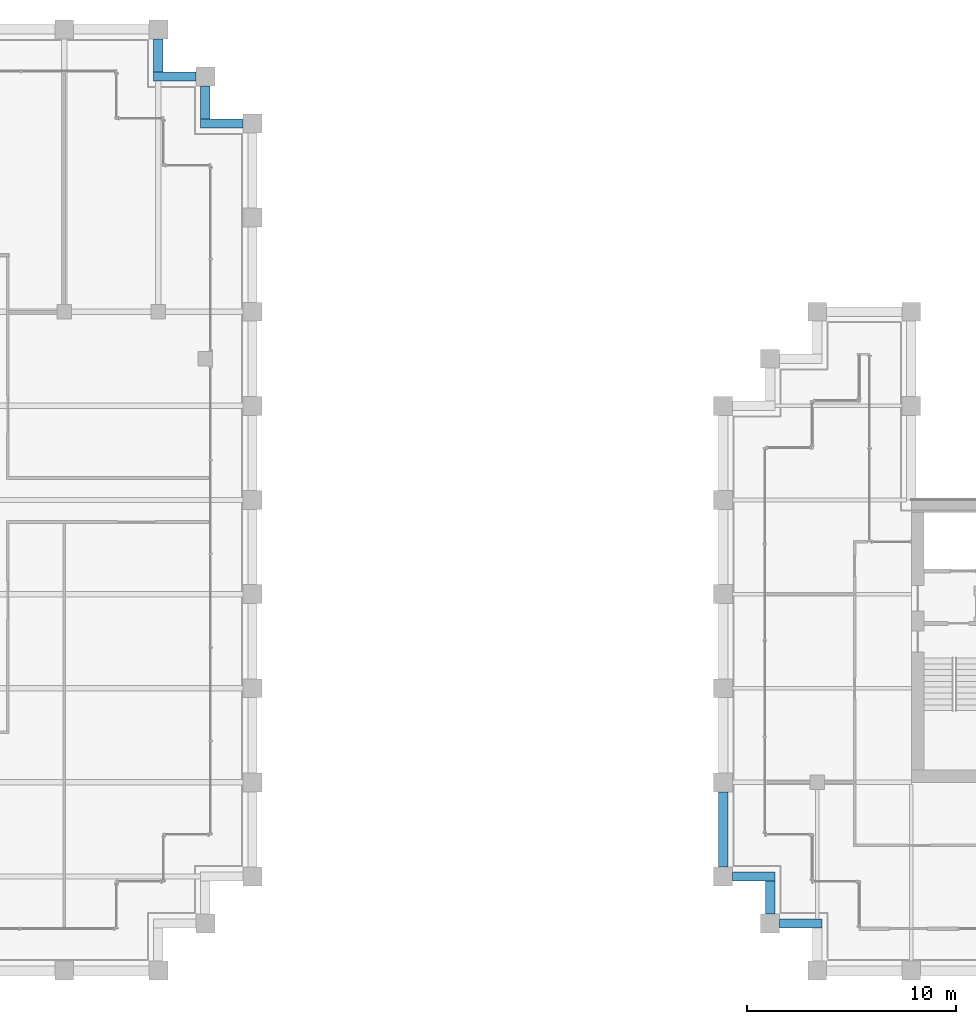
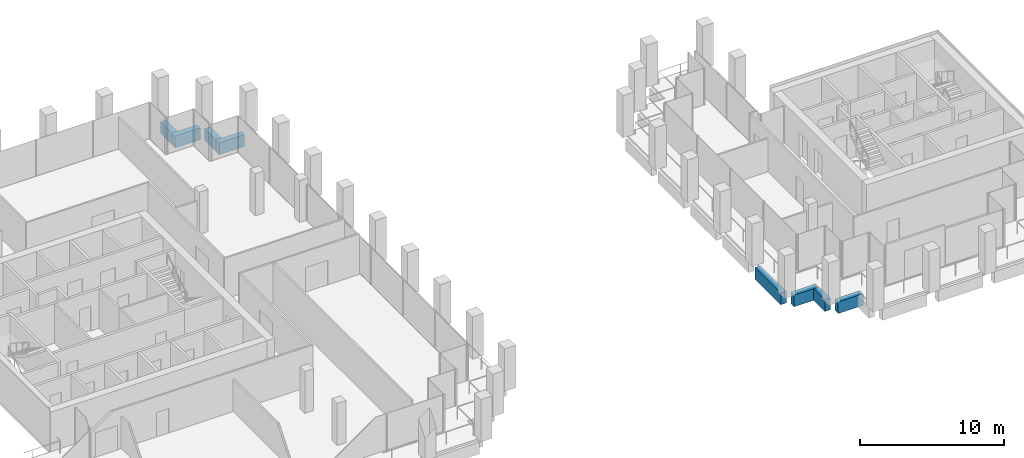
# One storey, part 27 of 40: 8 beams.
"""IFC4 building model written with IfcOpenShell, lengths in metres."""

from ifc_helpers import new_model, si_unit, direction, frame, origin, origin_2d, place, context, subcontext, project, spatial, rectangle, extrude, material, material_profile, profile_set, type_object, element, save


model = new_model("IFC4")

# Units and contexts
model_context = context("Model", 3, precision=1e-05, world=origin(), true_north=direction((0.0, 1.0)))
body_context = subcontext(model_context, "Body", "Model", "MODEL_VIEW")
ifc_project = project(units=[si_unit("LENGTHUNIT", "METRE"), si_unit("AREAUNIT", "SQUARE_METRE"), si_unit("VOLUMEUNIT", "CUBIC_METRE"), si_unit("PLANEANGLEUNIT", "RADIAN"), si_unit("MASSUNIT", "GRAM", prefix="KILO")], contexts=[model_context])

# Site, building, storey
site_placement = place(None, origin())
site = spatial("IfcSite", under=ifc_project, at=site_placement, CompositionType="ELEMENT")
building_placement = place(site_placement, origin())
building = spatial("IfcBuilding", under=site, at=building_placement, Name="Altepetl Exchange Towers", CompositionType="ELEMENT")
storey_placement = place(building_placement, frame((0.0, 0.0, 161.800048828125)))
storey = spatial("IfcBuildingStorey", under=building, at=storey_placement, Name="L40", CompositionType="ELEMENT", Elevation=161.800048828125)

# Beams
ifc_material_1 = material(Name="Concrete C50/60 precast with cantera rosa facing", Category="concrete")
ifc_material_profile_1 = material_profile(ifc_material_1, rectangle(XDim=0.449951171875, YDim=1.0, at=origin_2d()), Name="450 x 1000")
ifc_profile_set_1 = profile_set([ifc_material_profile_1], Name="Concrete C50/60 precast with cantera rosa facing")
beam_type_1 = type_object("IfcBeamType", Name="Spandrel beam 450x1000 cantera rosa", PredefinedType="SPANDREL", material=ifc_profile_set_1)
beam_1_placement = place(storey_placement, frame((71.550048828125, 67.5, -0.650146484375), z_axis=(-1.0, 0.0, 0.0), x_axis=(0.0, -1.0, 0.0)))
element("IfcBeam", 1, at=beam_1_placement, inside=storey, type_object=beam_type_1, Name="sp:A:L40:020", PredefinedType="SPANDREL", context=body_context, shape_type="SweptSolid", body=[
    extrude(rectangle(XDim=0.449951171875, YDim=1.0, at=origin_2d()), origin(), (0.0, 0.0, 1.0), 2.025146484375),
])
beam_2_placement = place(storey_placement, frame((69.75, 67.72509765625, -0.650146484375), z_axis=(0.0, 1.0, 0.0), x_axis=(-1.0, 0.0, 0.0)))
element("IfcBeam", 2, at=beam_2_placement, inside=storey, type_object=beam_type_1, Name="sp:A:L40:021", PredefinedType="SPANDREL", context=body_context, shape_type="SweptSolid", body=[
    extrude(rectangle(XDim=0.449951171875, YDim=1.0, at=origin_2d()), origin(), (0.0, 0.0, 1.0), 1.574951171875),
])
beam_3_placement = place(storey_placement, frame((69.300048828125, 69.75, -0.650146484375), z_axis=(-1.0, 0.0, 0.0), x_axis=(0.0, -1.0, 0.0)))
element("IfcBeam", 3, at=beam_3_placement, inside=storey, type_object=beam_type_1, Name="sp:A:L40:022", PredefinedType="SPANDREL", context=body_context, shape_type="SweptSolid", body=[
    extrude(rectangle(XDim=0.449951171875, YDim=1.0, at=origin_2d()), origin(), (0.0, 0.0, 1.0), 2.025146484375),
])
beam_4_placement = place(storey_placement, frame((67.5, 69.97509765625, -0.650146484375), z_axis=(0.0, 1.0, 0.0), x_axis=(-1.0, 0.0, 0.0)))
element("IfcBeam", 4, at=beam_4_placement, inside=storey, type_object=beam_type_1, Name="sp:A:L40:023", PredefinedType="SPANDREL", context=body_context, shape_type="SweptSolid", body=[
    extrude(rectangle(XDim=0.449951171875, YDim=1.0, at=origin_2d()), origin(), (0.0, 0.0, 1.0), 1.574951171875),
])
ifc_material_2 = material(Name="Concrete C50/60 precast with tezontle facing", Category="concrete")
ifc_material_profile_2 = material_profile(ifc_material_2, rectangle(XDim=0.449951171875, YDim=1.0, at=origin_2d()), Name="450 x 1000")
ifc_profile_set_2 = profile_set([ifc_material_profile_2], Name="Concrete C50/60 precast with tezontle facing")
beam_type_2 = type_object("IfcBeamType", Name="Spandrel beam 450x1000 tezontle", PredefinedType="SPANDREL", material=ifc_profile_set_2)
beam_5_placement = place(storey_placement, frame((94.5, 35.550048828125, -0.650146484375), z_axis=(0.0, -1.0, 0.0), x_axis=(1.0, 0.0, 0.0)))
element("IfcBeam", 5, at=beam_5_placement, inside=storey, type_object=beam_type_2, Name="sp:B:L40:019", PredefinedType="SPANDREL", context=body_context, shape_type="SweptSolid", body=[
    extrude(rectangle(XDim=0.449951171875, YDim=1.0, at=origin_2d()), origin(), (0.0, 0.0, 1.0), 3.60009765625),
])
beam_6_placement = place(storey_placement, frame((94.949951171875, 31.5, -0.650146484375), z_axis=(1.0, 0.0, 0.0), x_axis=(0.0, 1.0, 0.0)))
element("IfcBeam", 6, at=beam_6_placement, inside=storey, type_object=beam_type_2, Name="sp:B:L40:020", PredefinedType="SPANDREL", context=body_context, shape_type="SweptSolid", body=[
    extrude(rectangle(XDim=0.449951171875, YDim=1.0, at=origin_2d()), origin(), (0.0, 0.0, 1.0), 2.025146484375),
])
beam_7_placement = place(storey_placement, frame((96.75, 31.27490234375, -0.650146484375), z_axis=(0.0, -1.0, 0.0), x_axis=(1.0, 0.0, 0.0)))
element("IfcBeam", 7, at=beam_7_placement, inside=storey, type_object=beam_type_2, Name="sp:B:L40:021", PredefinedType="SPANDREL", context=body_context, shape_type="SweptSolid", body=[
    extrude(rectangle(XDim=0.449951171875, YDim=1.0, at=origin_2d()), origin(), (0.0, 0.0, 1.0), 1.574951171875),
])
beam_8_placement = place(storey_placement, frame((97.199951171875, 29.25, -0.650146484375), z_axis=(1.0, 0.0, 0.0), x_axis=(0.0, 1.0, 0.0)))
element("IfcBeam", 8, at=beam_8_placement, inside=storey, type_object=beam_type_2, Name="sp:B:L40:022", PredefinedType="SPANDREL", context=body_context, shape_type="SweptSolid", body=[
    extrude(rectangle(XDim=0.449951171875, YDim=1.0, at=origin_2d()), origin(), (0.0, 0.0, 1.0), 2.025146484375),
])

save(model, "model.ifc")
